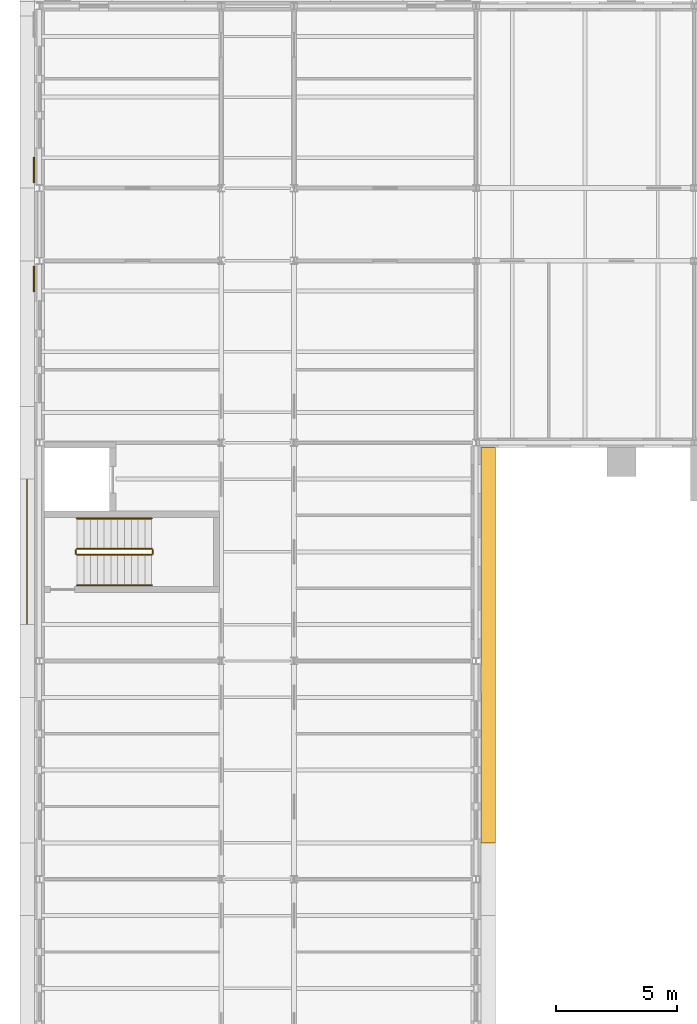
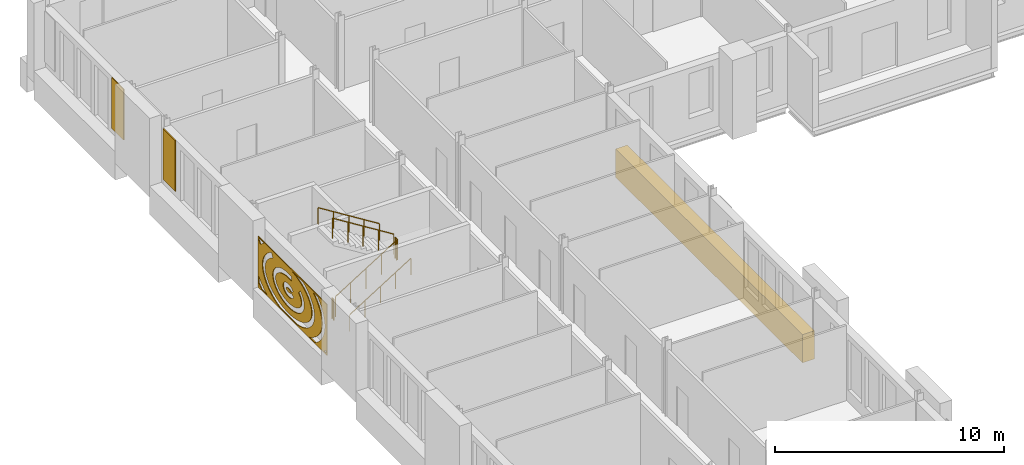
# One storey, part 142 of 154: 6 railings, 4 coverings.
"""IFC4 building model written with IfcOpenShell, lengths in metres."""

from ifc_helpers import new_model, si_unit, direction, frame, origin, origin_2d, place, context, subcontext, project, spatial, polyline, circle, outline, extrude, material, layer, layer_set, type_object, element, save


model = new_model("IFC4")

# Units and contexts
model_context = context("Model", 3, precision=1e-05, world=origin(), true_north=direction((0.0, 1.0)))
body_context = subcontext(model_context, "Body", "Model", "MODEL_VIEW")
ifc_project = project(units=[si_unit("LENGTHUNIT", "METRE"), si_unit("AREAUNIT", "SQUARE_METRE"), si_unit("VOLUMEUNIT", "CUBIC_METRE"), si_unit("PLANEANGLEUNIT", "RADIAN"), si_unit("MASSUNIT", "GRAM", prefix="KILO")], contexts=[model_context])

# Site, building, storey
site_placement = place(None, origin())
site = spatial("IfcSite", under=ifc_project, at=site_placement, CompositionType="ELEMENT")
building_placement = place(site_placement, origin())
building = spatial("IfcBuilding", under=site, at=building_placement, Name="Golden Quay Civic Hall", CompositionType="ELEMENT")
storey_placement = place(building_placement, frame((0.0, 0.0, 14.39990234375)))
storey = spatial("IfcBuildingStorey", under=building, at=storey_placement, Name="L03", CompositionType="ELEMENT", Elevation=14.39990234375)

# Covering
ifc_material_1 = material(Name="Aluminium, golden anodised, perforated", Category="aluminium")
ifc_layer_1 = layer(ifc_material_1, 0.0400390625)
ifc_layer_set_1 = layer_set([ifc_layer_1], Name="Perforated screen panel 6000 x 2700 x 40")
covering_type_1 = type_object("IfcCoveringType", Name="Perforated screen panel 6000 x 2700 x 40", PredefinedType="CLADDING", material=ifc_layer_set_1)
covering_1_placement = place(storey_placement, frame((-0.5, 58.5, 1.9501953125), z_axis=(-1.0, 0.0, 0.0), x_axis=(0.0, -1.0, 0.0)))
element("IfcCovering", 1, at=covering_1_placement, inside=storey, type_object=covering_type_1, Name="Perforated screen panel 6000 x 2700 x 40 L03 2", PredefinedType="CLADDING", context=body_context, shape_type="SweptSolid", body=[
    extrude(outline(polyline([(-3.0, -1.35009765625), (3.0, -1.35009765625), (3.0, 1.35009765625), (-3.0, 1.35009765625), (-3.0, -1.35009765625)]), holes=[polyline([(-0.14599609375, 0.114013671875), (-0.1875, 0.140625), (-0.248291015625, 0.16259765625), (-0.321533203125, 0.173828125), (-0.372802734375, 0.17431640625), (-0.446533203125, 0.163818359375), (-0.5087890625, 0.142578125), (-0.5517578125, 0.1162109375), (-0.575439453125, 0.088134765625), (-0.577392578125, 0.07763671875), (-0.57177734375, 0.065185546875), (-0.55908203125, 0.050537109375), (-0.53662109375, 0.03271484375), (-0.485107421875, 0.007568359375), (-0.4169921875, -0.009521484375), (-0.36669921875, -0.014404296875), (-0.3154296875, -0.013427734375), (-0.26611328125, -0.006591796875), (-0.22119140625, 0.00537109375), (-0.183349609375, 0.021240234375), (-0.154296875, 0.0390625), (-0.129638671875, 0.063232421875), (-0.120361328125, 0.08154296875), (0.102294921875, -0.019287109375), (0.07421875, -0.07177734375), (0.042236328125, -0.11181640625), (-0.00390625, -0.153564453125), (-0.043701171875, -0.1806640625), (-0.1025390625, -0.210693359375), (-0.176025390625, -0.236083984375), (-0.2216796875, -0.246826171875), (-0.2998046875, -0.25732421875), (-0.372314453125, -0.2587890625), (-0.412109375, -0.25634765625), (-0.49755859375, -0.242919921875), (-0.564453125, -0.223388671875), (-0.599853515625, -0.209716796875), (-0.666015625, -0.174560546875), (-0.705078125, -0.146484375), (-0.7333984375, -0.12109375), (-0.758544921875, -0.093017578125), (-0.780517578125, -0.06201171875), (-0.798583984375, -0.0283203125), (-0.811767578125, 0.008056640625), (-0.821533203125, 0.066162109375), (-0.818359375, 0.123046875), (-0.809326171875, 0.159912109375), (-0.79541015625, 0.195068359375), (-0.777099609375, 0.227294921875), (-0.75537109375, 0.257080078125), (-0.702880859375, 0.30810546875), (-0.6416015625, 0.34912109375), (-0.572998046875, 0.38037109375), (-0.4990234375, 0.402587890625), (-0.460693359375, 0.41015625), (-0.388916015625, 0.41796875), (-0.309326171875, 0.41796875), (-0.262451171875, 0.41357421875), (-0.184814453125, 0.398681640625), (-0.118896484375, 0.37744140625), (-0.075927734375, 0.3583984375), (-0.02001953125, 0.3251953125), (0.018310546875, 0.295166015625), (0.060546875, 0.25048828125), (-0.126220703125, 0.0927734375), (-0.14599609375, 0.114013671875)]), polyline([(-0.282470703125, 0.731689453125), (-0.37158203125, 0.732666015625), (-0.460693359375, 0.7294921875), (-0.548828125, 0.72216796875), (-0.635986328125, 0.710693359375), (-0.720947265625, 0.6953125), (-0.8037109375, 0.676025390625), (-0.883544921875, 0.653076171875), (-0.9599609375, 0.62646484375), (-1.0322265625, 0.596435546875), (-1.100341796875, 0.5634765625), (-1.163330078125, 0.52783203125), (-1.22119140625, 0.48974609375), (-1.273681640625, 0.449462890625), (-1.320068359375, 0.40771484375), (-1.360595703125, 0.364501953125), (-1.394775390625, 0.32080078125), (-1.423095703125, 0.2763671875), (-1.445068359375, 0.231689453125), (-1.46142578125, 0.1875), (-1.471923828125, 0.143310546875), (-1.47705078125, 0.099365234375), (-1.476806640625, 0.055419921875), (-1.470947265625, 0.011474609375), (-1.459716796875, -0.03271484375), (-1.44287109375, -0.0771484375), (-1.419921875, -0.12158203125), (-1.39111328125, -0.166015625), (-1.356201171875, -0.209716796875), (-1.31494140625, -0.252685546875), (-1.267578125, -0.294189453125), (-1.214599609375, -0.334228515625), (-1.15625, -0.372314453125), (-1.092529296875, -0.40771484375), (-1.02392578125, -0.440185546875), (-0.951171875, -0.4697265625), (-0.874267578125, -0.49609375), (-0.794189453125, -0.5185546875), (-0.711181640625, -0.53759765625), (-0.625732421875, -0.552490234375), (-0.53857421875, -0.563232421875), (-0.4501953125, -0.570068359375), (-0.361083984375, -0.57275390625), (-0.27197265625, -0.5712890625), (-0.183349609375, -0.5654296875), (-0.095703125, -0.555419921875), (-0.010009765625, -0.54150390625), (0.07373046875, -0.523681640625), (0.15478515625, -0.501953125), (0.232421875, -0.4765625), (0.306396484375, -0.447998046875), (0.3759765625, -0.416015625), (0.44091796875, -0.381103515625), (0.500732421875, -0.343994140625), (0.55517578125, -0.304443359375), (0.603759765625, -0.26318359375), (0.646484375, -0.220458984375), (0.68310546875, -0.1767578125), (0.71337890625, -0.132568359375), (0.73779296875, -0.088134765625), (0.756103515625, -0.043701171875), (0.768798828125, 0.00048828125), (0.77587890625, 0.04443359375), (0.777587890625, 0.08837890625), (0.773681640625, 0.13232421875), (0.764404296875, 0.176513671875), (0.749755859375, 0.220703125), (0.72900390625, 0.265380859375), (0.702392578125, 0.309814453125), (0.669677734375, 0.353759765625), (0.630615234375, 0.39697265625), (0.585693359375, 0.439208984375), (0.53125, 0.482666015625), (0.683837890625, 0.673583984375), (0.741943359375, 0.627197265625), (0.8017578125, 0.57177734375), (0.855224609375, 0.512939453125), (0.902099609375, 0.45068359375), (0.94189453125, 0.385498046875), (0.974365234375, 0.317626953125), (0.99853515625, 0.247314453125), (1.014404296875, 0.175048828125), (1.021484375, 0.101806640625), (1.019775390625, 0.02783203125), (1.0087890625, -0.04541015625), (0.9892578125, -0.117431640625), (0.9609375, -0.187744140625), (0.9248046875, -0.25537109375), (0.881103515625, -0.320068359375), (0.830322265625, -0.381591796875), (0.765625, -0.4462890625), (0.702392578125, -0.49951171875), (0.640869140625, -0.544189453125), (0.559814453125, -0.5947265625), (0.481201171875, -0.63671875), (0.398193359375, -0.67431640625), (0.311279296875, -0.7080078125), (0.227294921875, -0.7353515625), (0.1279296875, -0.761962890625), (0.0322265625, -0.7822265625), (-0.0654296875, -0.798095703125), (-0.16455078125, -0.80908203125), (-0.264892578125, -0.8154296875), (-0.359619140625, -0.817138671875), (-0.460205078125, -0.814208984375), (-0.56005859375, -0.806884765625), (-0.658935546875, -0.79443359375), (-0.76220703125, -0.776611328125), (-0.851318359375, -0.756103515625), (-0.94384765625, -0.730224609375), (-1.033203125, -0.699951171875), (-1.119140625, -0.665283203125), (-1.2080078125, -0.623046875), (-1.278564453125, -0.583740234375), (-1.351318359375, -0.537109375), (-1.426025390625, -0.480712890625), (-1.48046875, -0.4326171875), (-1.536376953125, -0.374755859375), (-1.585693359375, -0.31396484375), (-1.628173828125, -0.249755859375), (-1.663330078125, -0.182861328125), (-1.690673828125, -0.11328125), (-1.709716796875, -0.041748046875), (-1.72021484375, 0.031494140625), (-1.720703125, 0.1201171875), (-1.71142578125, 0.193115234375), (-1.697509765625, 0.251220703125), (-1.67236328125, 0.322265625), (-1.638916015625, 0.390869140625), (-1.597900390625, 0.456787109375), (-1.5498046875, 0.519287109375), (-1.494873046875, 0.57861328125), (-1.43359375, 0.63427734375), (-1.359619140625, 0.69140625), (-1.287353515625, 0.738525390625), (-1.21044921875, 0.78173828125), (-1.12890625, 0.821044921875), (-1.043701171875, 0.856201171875), (-0.95458984375, 0.886962890625), (-0.8623046875, 0.913330078125), (-0.767578125, 0.935302734375), (-0.670654296875, 0.952880859375), (-0.572021484375, 0.965576171875), (-0.477783203125, 0.973388671875), (-0.377197265625, 0.97705078125), (-0.276611328125, 0.975830078125), (-0.176513671875, 0.97021484375), (-0.0771484375, 0.959716796875), (-0.103271484375, 0.716552734375), (-0.19384765625, 0.726318359375), (-0.282470703125, 0.731689453125)]), polyline([(-1.8857421875, 0.8662109375), (-1.9677734375, 0.805419921875), (-2.04248046875, 0.741943359375), (-2.110107421875, 0.676025390625), (-2.17041015625, 0.6083984375), (-2.222900390625, 0.539306640625), (-2.267822265625, 0.46875), (-2.304931640625, 0.3974609375), (-2.33447265625, 0.32568359375), (-2.356201171875, 0.25341796875), (-2.370361328125, 0.180908203125), (-2.377197265625, 0.1083984375), (-2.376220703125, 0.035888671875), (-2.367919921875, -0.03662109375), (-2.35205078125, -0.109130859375), (-2.32861328125, -0.181396484375), (-2.297607421875, -0.2529296875), (-2.2587890625, -0.32421875), (-2.212158203125, -0.394287109375), (-2.157958984375, -0.46337890625), (-2.09619140625, -0.530517578125), (-2.02685546875, -0.595947265625), (-1.950439453125, -0.65869140625), (-1.8671875, -0.718994140625), (-1.777099609375, -0.776123046875), (-1.68115234375, -0.829833984375), (-1.5791015625, -0.8798828125), (-1.471923828125, -0.92578125), (-1.359619140625, -0.9677734375), (-1.2431640625, -1.00537109375), (-1.12255859375, -1.0380859375), (-0.998779296875, -1.066162109375), (-0.8720703125, -1.08935546875), (-0.7431640625, -1.107421875), (-0.612548828125, -1.120361328125), (-0.480712890625, -1.128173828125), (-0.348388671875, -1.130859375), (-0.216064453125, -1.128173828125), (-0.084228515625, -1.1201171875), (0.04638671875, -1.107177734375), (0.17529296875, -1.0888671875), (0.302001953125, -1.065673828125), (0.42578125, -1.037353515625), (0.546142578125, -1.00439453125), (0.66259765625, -0.966796875), (0.774658203125, -0.9248046875), (0.8818359375, -0.878662109375), (0.9833984375, -0.82861328125), (1.07958984375, -0.774658203125), (1.169189453125, -0.717529296875), (1.25244140625, -0.6572265625), (1.32861328125, -0.59423828125), (1.397705078125, -0.52880859375), (1.45947265625, -0.461669921875), (1.513427734375, -0.392578125), (1.559814453125, -0.322509765625), (1.598388671875, -0.251220703125), (1.62939453125, -0.179443359375), (1.652587890625, -0.107421875), (1.668212890625, -0.034912109375), (1.676513671875, 0.03759765625), (1.677001953125, 0.110107421875), (1.670166015625, 0.1826171875), (1.65576171875, 0.255126953125), (1.6337890625, 0.327392578125), (1.604248046875, 0.3994140625), (1.56689453125, 0.470458984375), (1.521728515625, 0.541015625), (1.468994140625, 0.610107421875), (1.40869140625, 0.677734375), (1.3408203125, 0.743408203125), (1.265625, 0.806884765625), (1.18359375, 0.86767578125), (1.094970703125, 0.92529296875), (1.0, 0.979736328125), (0.899169921875, 1.030517578125), (0.79296875, 1.077392578125), (0.681640625, 1.1201171875), (0.56591796875, 1.158447265625), (0.446044921875, 1.192138671875), (0.322998046875, 1.22119140625), (0.19677734375, 1.245361328125), (0.068115234375, 1.264404296875), (-0.062255859375, 1.2783203125), (-0.19384765625, 1.287109375), (-0.300537109375, 1.2900390625), (0.91650390625, 1.2900390625), (1.00634765625, 1.250244140625), (1.11865234375, 1.193359375), (1.219482421875, 1.1357421875), (1.320068359375, 1.0703125), (1.414306640625, 1.0009765625), (1.501708984375, 0.927490234375), (1.581787109375, 0.85009765625), (1.654541015625, 0.769287109375), (1.71923828125, 0.685302734375), (1.775634765625, 0.597900390625), (1.827880859375, 0.49755859375), (1.862060546875, 0.4150390625), (1.891357421875, 0.3203125), (1.9111328125, 0.22412109375), (1.9208984375, 0.126953125), (1.919921875, 0.0166015625), (1.908447265625, -0.080322265625), (1.88720703125, -0.176513671875), (1.856201171875, -0.270751953125), (1.82080078125, -0.35302734375), (1.7666015625, -0.45263671875), (1.708984375, -0.53955078125), (1.642822265625, -0.623291015625), (1.56884765625, -0.70361328125), (1.49365234375, -0.774658203125), (1.39892578125, -0.852783203125), (1.3037109375, -0.921630859375), (1.2021484375, -0.986083984375), (1.094482421875, -1.04638671875), (0.981201171875, -1.101806640625), (0.863037109375, -1.152587890625), (0.740234375, -1.198486328125), (0.61328125, -1.239501953125), (0.4169921875, -1.2900390625), (-1.1171875, -1.2900390625), (-1.31005859375, -1.240478515625), (-1.437255859375, -1.19970703125), (-1.56005859375, -1.15380859375), (-1.678466796875, -1.103271484375), (-1.791748046875, -1.0478515625), (-1.8994140625, -0.98779296875), (-2.001220703125, -0.92333984375), (-2.0966796875, -0.854736328125), (-2.185302734375, -0.781982421875), (-2.26708984375, -0.705322265625), (-2.341064453125, -0.625244140625), (-2.4130859375, -0.53369140625), (-2.46533203125, -0.454833984375), (-2.514892578125, -0.365234375), (-2.555419921875, -0.273193359375), (-2.58642578125, -0.1787109375), (-2.610107421875, -0.070556640625), (-2.62060546875, 0.02685546875), (-2.62109375, 0.12451171875), (-2.611328125, 0.2216796875), (-2.592041015625, 0.318115234375), (-2.56298828125, 0.41259765625), (-2.5244140625, 0.50537109375), (-2.476806640625, 0.595703125), (-2.426513671875, 0.6748046875), (-2.356201171875, 0.767333984375), (-2.28369140625, 0.848388671875), (-2.203857421875, 0.925537109375), (-2.11669921875, 0.999267578125), (-2.0224609375, 1.068603515625), (-1.922119140625, 1.134033203125), (-1.8212890625, 1.19189453125), (-1.69970703125, 0.97998046875), (-1.79736328125, 0.923828125), (-1.8857421875, 0.8662109375)]), polyline([(-2.93994140625, -0.73876953125), (-2.83935546875, -0.84619140625), (-2.750732421875, -0.927490234375), (-2.65478515625, -1.00634765625), (-2.55126953125, -1.081787109375), (-2.44091796875, -1.154052734375), (-2.32373046875, -1.22265625), (-2.19482421875, -1.2900390625), (-2.6796875, -1.2900390625), (-2.69287109375, -1.281005859375), (-2.806884765625, -1.197509765625), (-2.93994140625, -1.085693359375), (-2.93994140625, -0.73876953125)]), polyline([(1.564697265625, -1.254638671875), (1.684814453125, -1.187744140625), (1.798583984375, -1.1171875), (1.905517578125, -1.043212890625), (2.005126953125, -0.966064453125), (2.097412109375, -0.885986328125), (2.18212890625, -0.80322265625), (2.2587890625, -0.718017578125), (2.327392578125, -0.631103515625), (2.387939453125, -0.542236328125), (2.43994140625, -0.4521484375), (2.48388671875, -0.361083984375), (2.519287109375, -0.268798828125), (2.546142578125, -0.176513671875), (2.56494140625, -0.08349609375), (2.5751953125, 0.010009765625), (2.577392578125, 0.103271484375), (2.5712890625, 0.196533203125), (2.556640625, 0.28955078125), (2.533935546875, 0.38232421875), (2.502685546875, 0.474853515625), (2.463134765625, 0.56640625), (2.4150390625, 0.656982421875), (2.35888671875, 0.74658203125), (2.294189453125, 0.83447265625), (2.2216796875, 0.920654296875), (2.14111328125, 1.004638671875), (2.052490234375, 1.086181640625), (1.95654296875, 1.164794921875), (1.853271484375, 1.240478515625), (1.77783203125, 1.2900390625), (2.189208984375, 1.2900390625), (2.314697265625, 1.176513671875), (2.406005859375, 1.081298828125), (2.489013671875, 0.982421875), (2.55859375, 0.8876953125), (2.62451171875, 0.783203125), (2.681396484375, 0.676513671875), (2.72900390625, 0.567138671875), (2.76708984375, 0.455810546875), (2.79541015625, 0.343017578125), (2.814697265625, 0.218017578125), (2.822021484375, 0.103271484375), (2.81884765625, -0.01171875), (2.8056640625, -0.126220703125), (2.784912109375, -0.229736328125), (2.75244140625, -0.34228515625), (2.710205078125, -0.453369140625), (2.65380859375, -0.570556640625), (2.59228515625, -0.676025390625), (2.52197265625, -0.779052734375), (2.443115234375, -0.878662109375), (2.355712890625, -0.97509765625), (2.260498046875, -1.068115234375), (2.162841796875, -1.15283203125), (2.052490234375, -1.238525390625), (1.978515625, -1.2900390625), (1.493408203125, -1.2900390625), (1.564697265625, -1.254638671875)]), polyline([(-2.478271484375, 1.2900390625), (-2.603515625, 1.20458984375), (-2.703369140625, 1.127685546875), (-2.798583984375, 1.045166015625), (-2.93994140625, 1.208251953125), (-2.93994140625, 1.245849609375), (-2.88916015625, 1.2900390625), (-2.478271484375, 1.2900390625)]), polyline([(2.835693359375, -1.205322265625), (2.9345703125, -1.110107421875), (2.93994140625, -1.104248046875), (2.93994140625, -1.2900390625), (2.73779296875, -1.2900390625), (2.835693359375, -1.205322265625)])]), origin(), (0.0, 0.0, 1.0), 0.0400390625),
])

# Railings
ifc_material_2 = material(Name="Steel S355", Category="steel")
railing_type_1 = type_object("IfcRailingType", Name="Steel guard 1100", PredefinedType="GUARDRAIL", material=ifc_material_2)
railing_1_placement = place(storey_placement, frame((1.550048828125, 58.375, 0.175048828125)))
element("IfcRailing", 2, at=railing_1_placement, inside=storey, type_object=railing_type_1, Name="L03 WO-N stair guard 1", PredefinedType="GUARDRAIL", context=body_context, shape_type="SweptSolid", body=[
    extrude(circle(Radius=0.02392578125, at=origin_2d()), frame((0.0, 0.0, 1.076171875), z_axis=(0.847979421464, 0.0, 0.530029150871), x_axis=(0.0, 1.0, 0.0)), (0.0, 0.0, 1.0), 3.632080078125),
    extrude(circle(Radius=0.02099609375, at=origin_2d()), origin(), (0.0, 0.0, 1.0), 1.052001953125),
    extrude(circle(Radius=0.02099609375, at=origin_2d()), frame((0.77001953125, 0.0, 0.481201171875)), (0.0, 0.0, 1.0), 1.052001953125),
    extrude(circle(Radius=0.02099609375, at=origin_2d()), frame((1.5400390625, 0.0, 0.96240234375)), (0.0, 0.0, 1.0), 1.052001953125),
    extrude(circle(Radius=0.02099609375, at=origin_2d()), frame((2.309814453125, 0.0, 1.44384765625)), (0.0, 0.0, 1.0), 1.052001953125),
    extrude(circle(Radius=0.02099609375, at=origin_2d()), frame((3.079833984375, 0.0, 1.925048828125)), (0.0, 0.0, 1.0), 1.052001953125),
])
railing_2_placement = place(storey_placement, frame((4.679931640625, 58.425048828125, 2.10009765625)))
element("IfcRailing", 3, at=railing_2_placement, inside=storey, type_object=railing_type_1, Name="L03 WO-N stair guard 2", PredefinedType="GUARDRAIL", context=body_context, shape_type="SweptSolid", body=[
    extrude(circle(Radius=0.02392578125, at=origin_2d()), frame((0.0, 0.0, 1.076171875), z_axis=(0.0, 1.0, 0.0), x_axis=(-1.0, 0.0, 0.0)), (0.0, 0.0, 1.0), 0.14990234375),
    extrude(circle(Radius=0.02099609375, at=origin_2d()), origin(), (0.0, 0.0, 1.0), 1.052001953125),
    extrude(circle(Radius=0.02099609375, at=origin_2d()), frame((0.0, 0.14990234375, 0.0)), (0.0, 0.0, 1.0), 1.052001953125),
])
railing_3_placement = place(storey_placement, frame((4.6298828125, 58.625, 2.275146484375)))
element("IfcRailing", 4, at=railing_3_placement, inside=storey, type_object=railing_type_1, Name="L03 WO-N stair guard 3", PredefinedType="GUARDRAIL", context=body_context, shape_type="SweptSolid", body=[
    extrude(circle(Radius=0.02392578125, at=origin_2d()), frame((0.0, 0.0, 1.076171875), z_axis=(-0.847979421464, 0.0, 0.530029150871), x_axis=(0.0, -1.0, 0.0)), (0.0, 0.0, 1.0), 3.632080078125),
    extrude(circle(Radius=0.02099609375, at=origin_2d()), origin(), (0.0, 0.0, 1.0), 1.052001953125),
    extrude(circle(Radius=0.02099609375, at=origin_2d()), frame((-0.77001953125, 0.0, 0.481201171875)), (0.0, 0.0, 1.0), 1.052001953125),
    extrude(circle(Radius=0.02099609375, at=origin_2d()), frame((-1.5400390625, 0.0, 0.96240234375)), (0.0, 0.0, 1.0), 1.052001953125),
    extrude(circle(Radius=0.02099609375, at=origin_2d()), frame((-2.309814453125, 0.0, 1.44384765625)), (0.0, 0.0, 1.0), 1.052001953125),
    extrude(circle(Radius=0.02099609375, at=origin_2d()), frame((-3.079833984375, 0.0, 1.925048828125)), (0.0, 0.0, 1.0), 1.052001953125),
])
railing_4_placement = place(storey_placement, frame((1.5, 58.425048828125, 0.0)))
element("IfcRailing", 5, at=railing_4_placement, inside=storey, type_object=railing_type_1, Name="L03 WO-N stair guard 4", PredefinedType="GUARDRAIL", context=body_context, shape_type="SweptSolid", body=[
    extrude(circle(Radius=0.02392578125, at=origin_2d()), frame((0.0, 0.0, 1.076171875), z_axis=(0.0, 1.0, 0.0), x_axis=(-1.0, 0.0, 0.0)), (0.0, 0.0, 1.0), 0.14990234375),
    extrude(circle(Radius=0.02099609375, at=origin_2d()), origin(), (0.0, 0.0, 1.0), 1.052001953125),
    extrude(circle(Radius=0.02099609375, at=origin_2d()), frame((0.0, 0.14990234375, 0.0)), (0.0, 0.0, 1.0), 1.052001953125),
])
ifc_material_3 = material(Name="Steel S355", Category="steel")
railing_type_2 = type_object("IfcRailingType", Name="Steel handrail 900", PredefinedType="HANDRAIL", material=ifc_material_3)
railing_5_placement = place(storey_placement, frame((1.550048828125, 57.125, 0.175048828125)))
element("IfcRailing", 6, at=railing_5_placement, inside=storey, type_object=railing_type_2, Name="L03 WO-N stair handrail 1", PredefinedType="HANDRAIL", context=body_context, shape_type="SweptSolid", body=[
    extrude(circle(Radius=0.02392578125, at=origin_2d()), frame((0.0, 0.0, 0.8759765625), z_axis=(0.847979421464, 0.0, 0.530029150871), x_axis=(0.0, 1.0, 0.0)), (0.0, 0.0, 1.0), 3.632080078125),
    extrude(circle(Radius=0.02099609375, at=origin_2d()), origin(), (0.0, 0.0, 1.0), 0.851806640625),
    extrude(circle(Radius=0.02099609375, at=origin_2d()), frame((0.77001953125, 0.0, 0.481201171875)), (0.0, 0.0, 1.0), 0.851806640625),
    extrude(circle(Radius=0.02099609375, at=origin_2d()), frame((1.5400390625, 0.0, 0.96240234375)), (0.0, 0.0, 1.0), 0.851806640625),
    extrude(circle(Radius=0.02099609375, at=origin_2d()), frame((2.309814453125, 0.0, 1.44384765625)), (0.0, 0.0, 1.0), 0.851806640625),
    extrude(circle(Radius=0.02099609375, at=origin_2d()), frame((3.079833984375, 0.0, 1.925048828125)), (0.0, 0.0, 1.0), 0.851806640625),
])
railing_6_placement = place(storey_placement, frame((4.6298828125, 59.875, 2.275146484375)))
element("IfcRailing", 7, at=railing_6_placement, inside=storey, type_object=railing_type_2, Name="L03 WO-N stair handrail 2", PredefinedType="HANDRAIL", context=body_context, shape_type="SweptSolid", body=[
    extrude(circle(Radius=0.02392578125, at=origin_2d()), frame((0.0, 0.0, 0.8759765625), z_axis=(-0.847979421464, 0.0, 0.530029150871), x_axis=(0.0, -1.0, 0.0)), (0.0, 0.0, 1.0), 3.632080078125),
    extrude(circle(Radius=0.02099609375, at=origin_2d()), origin(), (0.0, 0.0, 1.0), 0.851806640625),
    extrude(circle(Radius=0.02099609375, at=origin_2d()), frame((-0.77001953125, 0.0, 0.481201171875)), (0.0, 0.0, 1.0), 0.851806640625),
    extrude(circle(Radius=0.02099609375, at=origin_2d()), frame((-1.5400390625, 0.0, 0.96240234375)), (0.0, 0.0, 1.0), 0.851806640625),
    extrude(circle(Radius=0.02099609375, at=origin_2d()), frame((-2.309814453125, 0.0, 1.44384765625)), (0.0, 0.0, 1.0), 0.851806640625),
    extrude(circle(Radius=0.02099609375, at=origin_2d()), frame((-3.079833984375, 0.0, 1.925048828125)), (0.0, 0.0, 1.0), 0.851806640625),
])

# Coverings
ifc_material_4 = material(Name="Terracotta cladding, golden glaze", Category="masonry")
ifc_layer_2 = layer(ifc_material_4, 0.050048828125)
ifc_layer_set_2 = layer_set([ifc_layer_2], Name="Terracotta solid panel 1050 x 2700 x 50")
covering_type_2 = type_object("IfcCoveringType", Name="Terracotta solid panel 1050 x 2700 x 50", PredefinedType="CLADDING", material=ifc_layer_set_2)
covering_2_placement = place(storey_placement, frame((0.0, 0.0, 0.900146484375)))
element("IfcCovering", 8, at=covering_2_placement, inside=storey, type_object=covering_type_2, Name="Terracotta solid panel 1050 x 2700 x 50 L03 2", PredefinedType="CLADDING", context=body_context, shape_type="SweptSolid", body=[
    extrude(outline(polyline([(-0.199951171875, 69.22509765625), (-0.199951171875, 70.27490234375), (-0.25, 70.27490234375), (-0.25, 69.22509765625), (-0.199951171875, 69.22509765625)])), origin(), (0.0, 0.0, 1.0), 2.699951171875),
])
covering_3_placement = place(storey_placement, frame((0.0, 0.0, 0.900146484375)))
element("IfcCovering", 9, at=covering_3_placement, inside=storey, type_object=covering_type_2, Name="Terracotta solid panel 1050 x 2700 x 50 L03 3", PredefinedType="CLADDING", context=body_context, shape_type="SweptSolid", body=[
    extrude(outline(polyline([(-0.199951171875, 73.72509765625), (-0.199951171875, 74.77490234375), (-0.25, 74.77490234375), (-0.25, 73.72509765625), (-0.199951171875, 73.72509765625)])), origin(), (0.0, 0.0, 1.0), 2.699951171875),
])
ifc_material_5 = material(Name="Terracotta cladding, golden glaze", Category="masonry")
covering_type_3 = type_object("IfcCoveringType", Name="Terracotta spandrel fascia 600 x 1500", PredefinedType="CLADDING", material=ifc_material_5)
covering_4_placement = place(storey_placement, frame((0.0, 0.0, -0.89990234375)))
element("IfcCovering", 10, at=covering_4_placement, inside=storey, type_object=covering_type_3, Name="Terracotta spandrel fascia 600 x 1500 L03 4", PredefinedType="CLADDING", context=body_context, shape_type="SweptSolid", body=[
    extrude(outline(polyline([(18.199951171875, 62.800048828125), (18.800048828125, 62.800048828125), (18.800048828125, 46.5), (18.199951171875, 46.5), (18.199951171875, 62.800048828125)])), origin(), (0.0, 0.0, 1.0), 1.5),
])

save(model, "model.ifc")
